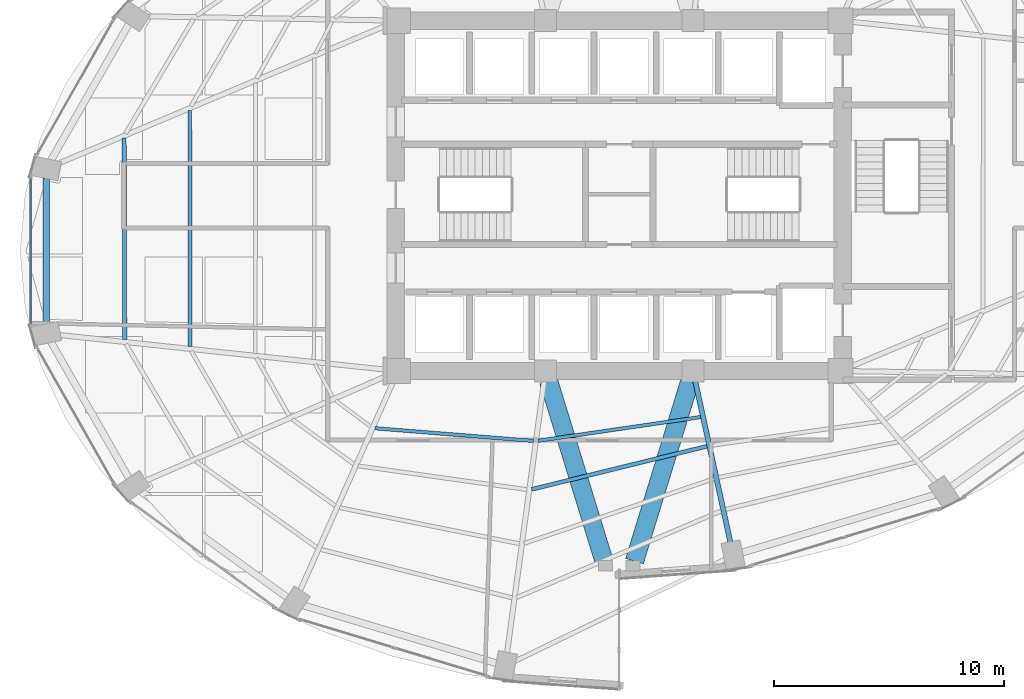
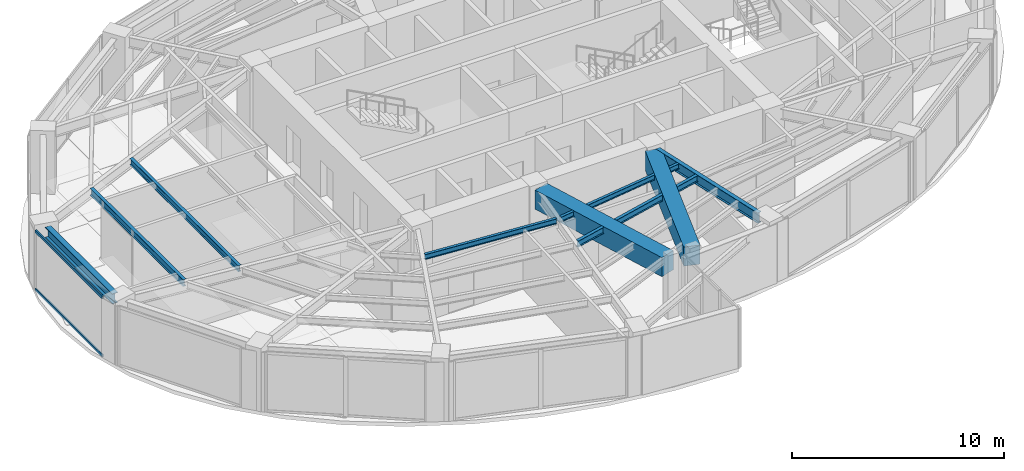
# One storey, part 7 of 24: 9 beams, 2 members, 1 element without a shape of its own.
"""IFC4 building model written with IfcOpenShell, lengths in metres."""

from ifc_helpers import new_model, si_unit, direction, frame, origin, origin_2d, place, context, subcontext, project, spatial, rectangle, hollow_rectangle, i_section, extrude, material, layer, layer_set, material_profile, profile_set, type_object, element, aggregate, save


model = new_model("IFC4")

# Units and contexts
model_context = context("Model", 3, precision=1e-05, world=origin(), true_north=direction((0.0, 1.0)))
body_context = subcontext(model_context, "Body", "Model", "MODEL_VIEW")
ifc_project = project(units=[si_unit("LENGTHUNIT", "METRE"), si_unit("AREAUNIT", "SQUARE_METRE"), si_unit("VOLUMEUNIT", "CUBIC_METRE"), si_unit("PLANEANGLEUNIT", "RADIAN"), si_unit("MASSUNIT", "GRAM", prefix="KILO")], contexts=[model_context])

# Site, building, storey
site_placement = place(None, origin())
site = spatial("IfcSite", under=ifc_project, at=site_placement, CompositionType="ELEMENT")
building_placement = place(site_placement, origin())
building = spatial("IfcBuilding", under=site, at=building_placement, Name="Lazwardi Medical Tower", CompositionType="ELEMENT")
storey_placement = place(building_placement, frame((0.0, 0.0, 103.632080078125)))
storey = spatial("IfcBuildingStorey", under=building, at=storey_placement, Name="L26", CompositionType="ELEMENT", Elevation=103.632080078125)

# Beams
ifc_material_1 = material(Name="Concrete C70/85", Category="concrete")
ifc_material_profile_1 = material_profile(ifc_material_1, rectangle(XDim=0.800048828125, YDim=1.10009765625, at=origin_2d()), Name="RC 800x1100")
ifc_profile_set_1 = profile_set([ifc_material_profile_1], Name="Concrete C70/85")
beam_type_1 = type_object("IfcBeamType", Name="BM-CB-RC1", PredefinedType="LINTEL", material=ifc_profile_set_1)
for number, where, z_axis, x_axis, name in (
    (1, (32.935302734375, 19.960205078125, 2.8779296875), (0.294073251002, -0.955782884888, 0.0), (0.955782884888, 0.294073251002, 0.0), "Core coupling lintel CB-01 PL3 L26"),
    (2, (39.064697265625, 19.960205078125, 2.8779296875), (-0.294073251002, -0.955782884888, 0.0), (0.955782884888, -0.294073251002, 0.0), "Core coupling lintel CB-01 PL4 L26"),
):
    element("IfcBeam", number, at=place(storey_placement, frame(where, z_axis=z_axis, x_axis=x_axis)), inside=storey, type_object=beam_type_1, Name=name, PredefinedType="LINTEL", context=body_context, shape_type="SweptSolid", body=[
        extrude(rectangle(XDim=0.800048828125, YDim=1.10009765625, at=origin_2d()), origin(), (0.0, 0.0, 1.0), 8.1708984375),
    ])
ifc_material_2 = material(Name="Steel S355", Category="steel")
ifc_material_profile_2 = material_profile(ifc_material_2, i_section(OverallWidth=0.300048828125, OverallDepth=0.60009765625, WebThickness=0.015380859375, FlangeThickness=0.030029296875, at=origin_2d()), Name="HEB 600")
ifc_profile_set_2 = profile_set([ifc_material_profile_2], Name="Steel S355")
beam_type_2 = type_object("IfcBeamType", Name="BM-RB-Z2", PredefinedType="BEAM", material=ifc_profile_set_2)
beam_1_placement = place(storey_placement, frame((11.13720703125, 28.77001953125, 3.1279296875), z_axis=(0.0, -1.0, 0.0), x_axis=(1.0, 0.0, 0.0)))
element("IfcBeam", 3, at=beam_1_placement, inside=storey, type_object=beam_type_2, Name="Ring beam RB-03 B12 L26", PredefinedType="BEAM", context=body_context, shape_type="SweptSolid", body=[
    extrude(i_section(OverallWidth=0.300048828125, OverallDepth=0.60009765625, WebThickness=0.015380859375, FlangeThickness=0.030029296875, at=origin_2d()), origin(), (0.0, 0.0, 1.0), 6.33984375),
])
ifc_material_profile_3 = material_profile(ifc_material_2, i_section(OverallWidth=0.219970703125, OverallDepth=0.60009765625, WebThickness=0.011962890625, FlangeThickness=0.01904296875, at=origin_2d()), Name="IPE 600")
ifc_profile_set_3 = profile_set([ifc_material_profile_3], Name="Steel S355")
beam_type_3 = type_object("IfcBeamType", Name="BM-RG-W1", PredefinedType="BEAM", material=ifc_profile_set_3)
beam_2_placement = place(storey_placement, frame((40.82177734375, 12.96923828125, 3.1279296875), z_axis=(-0.213228150441, 0.977002433907, 0.0), x_axis=(-0.977002433907, -0.213228150441, 0.0)))
element("IfcBeam", 4, at=beam_2_placement, inside=storey, type_object=beam_type_3, Name="Radial girder RG-02 R01 L26", PredefinedType="BEAM", context=body_context, shape_type="SweptSolid", body=[
    extrude(i_section(OverallWidth=0.219970703125, OverallDepth=0.60009765625, WebThickness=0.011962890625, FlangeThickness=0.01904296875, at=origin_2d()), origin(), (0.0, 0.0, 1.0), 7.145751953125),
])
ifc_material_profile_4 = material_profile(ifc_material_2, i_section(OverallWidth=0.179931640625, OverallDepth=0.39990234375, WebThickness=0.008544921875, FlangeThickness=0.013427734375, at=origin_2d()), Name="IPE 400")
ifc_profile_set_4 = profile_set([ifc_material_profile_4], Name="Steel S355")
beam_type_4 = type_object("IfcBeamType", Name="BM-SJ-01", PredefinedType="JOIST", material=ifc_profile_set_4)
beam_3_placement = place(storey_placement, frame((14.51904296875, 30.497314453125, 3.22802734375), z_axis=(0.002907126978, -0.999995774297, 0.0), x_axis=(0.999995774297, 0.002907126978, 0.0)))
element("IfcBeam", 5, at=beam_3_placement, inside=storey, type_object=beam_type_4, Name="Secondary joist SJ-01 R1 B12 L26", PredefinedType="JOIST", context=body_context, shape_type="SweptSolid", body=[
    extrude(i_section(OverallWidth=0.179931640625, OverallDepth=0.39990234375, WebThickness=0.008544921875, FlangeThickness=0.013427734375, at=origin_2d()), origin(), (0.0, 0.0, 1.0), 8.73388671875),
])
ifc_material_profile_5 = material_profile(ifc_material_2, i_section(OverallWidth=0.169921875, OverallDepth=0.360107421875, WebThickness=0.008056640625, FlangeThickness=0.0126953125, at=origin_2d()), Name="IPE 360")
ifc_profile_set_5 = profile_set([ifc_material_profile_5], Name="Steel S355")
beam_type_5 = type_object("IfcBeamType", Name="BM-SJ-02", PredefinedType="JOIST", material=ifc_profile_set_5)
beam_4_placement = place(storey_placement, frame((17.365966796875, 31.69482421875, 3.247802734375), z_axis=(0.000930565095, -0.999999567024, 0.0), x_axis=(0.999999567024, 0.000930565095, 0.0)))
element("IfcBeam", 6, at=beam_4_placement, inside=storey, type_object=beam_type_5, Name="Secondary joist SJ-02 R2 B12 L26", PredefinedType="JOIST", context=body_context, shape_type="SweptSolid", body=[
    extrude(i_section(OverallWidth=0.169921875, OverallDepth=0.360107421875, WebThickness=0.008056640625, FlangeThickness=0.0126953125, at=origin_2d()), origin(), (0.0, 0.0, 1.0), 10.23193359375),
])
beam_5_placement = place(storey_placement, frame((32.19775390625, 15.262451171875, 3.247802734375), z_axis=(0.97107737879, 0.238764998276, 0.0), x_axis=(-0.238764998276, 0.97107737879, 0.0)))
element("IfcBeam", 7, at=beam_5_placement, inside=storey, type_object=beam_type_5, Name="Secondary joist SJ-02 R3 B16 L26", PredefinedType="JOIST", context=body_context, shape_type="SweptSolid", body=[
    extrude(i_section(OverallWidth=0.169921875, OverallDepth=0.360107421875, WebThickness=0.008056640625, FlangeThickness=0.0126953125, at=origin_2d()), origin(), (0.0, 0.0, 1.0), 7.83447265625),
])
ifc_material_profile_6 = material_profile(ifc_material_2, i_section(OverallWidth=0.14990234375, OverallDepth=0.300048828125, WebThickness=0.007080078125, FlangeThickness=0.0107421875, at=origin_2d()), Name="IPE 300")
ifc_profile_set_6 = profile_set([ifc_material_profile_6], Name="Steel S355")
beam_type_6 = type_object("IfcBeamType", Name="BM-SJ-03", PredefinedType="JOIST", material=ifc_profile_set_6)
beam_6_placement = place(storey_placement, frame((25.400390625, 17.914306640625, 3.27783203125), z_axis=(0.996816178299, -0.079733974445, 0.0), x_axis=(0.079733974445, 0.996816178299, 0.0)))
element("IfcBeam", 8, at=beam_6_placement, inside=storey, type_object=beam_type_6, Name="Secondary joist SJ-03 R4 B15 L26", PredefinedType="JOIST", context=body_context, shape_type="SweptSolid", body=[
    extrude(i_section(OverallWidth=0.14990234375, OverallDepth=0.300048828125, WebThickness=0.007080078125, FlangeThickness=0.0107421875, at=origin_2d()), origin(), (0.0, 0.0, 1.0), 6.901611328125),
])
beam_7_placement = place(storey_placement, frame((32.488525390625, 17.37060546875, 3.27783203125), z_axis=(0.98949221477, 0.144586157392, 0.0), x_axis=(-0.144586157392, 0.98949221477, 0.0)))
element("IfcBeam", 9, at=beam_7_placement, inside=storey, type_object=beam_type_6, Name="Secondary joist SJ-03 R4 B16 L26", PredefinedType="JOIST", context=body_context, shape_type="SweptSolid", body=[
    extrude(i_section(OverallWidth=0.14990234375, OverallDepth=0.300048828125, WebThickness=0.007080078125, FlangeThickness=0.0107421875, at=origin_2d()), origin(), (0.0, 0.0, 1.0), 7.115478515625),
])

# Curtain wall, members
ifc_material_3 = material(Name="Anodised bronze aluminium and solar control glazing", Category="aluminium")
ifc_layer = layer(ifc_material_3, 0.195068359375)
ifc_layer_set = layer_set([ifc_layer], Name="Anodised bronze aluminium and solar control glazing")
curtain_wall_type = type_object("IfcCurtainWallType", Name="CW-SYS-03", PredefinedType="NOTDEFINED", material=ifc_layer_set)
curtain_wall_placement = place(storey_placement, origin())
curtain_wall = element("IfcCurtainWall", 10, at=curtain_wall_placement, inside=storey, type_object=curtain_wall_type, Name="L26 Unitised bronze curtain wall CW-03", PredefinedType="NOTDEFINED")
ifc_material_4 = material(Name="Anodised bronze aluminium", Category="aluminium")
ifc_material_profile_7 = material_profile(ifc_material_4, hollow_rectangle(XDim=0.074951171875, YDim=0.159912109375, WallThickness=0.00390625, at=origin_2d()), Name="ALU-TRANSOM 160x75x4")
ifc_profile_set_7 = profile_set([ifc_material_profile_7], Name="Anodised bronze aluminium")
member_type = type_object("IfcMemberType", Name="CW-TRN-01", PredefinedType="USERDEFINED", material=ifc_profile_set_7)
member_1_placement = place(storey_placement, frame((10.471923828125, 28.760009765625, 0.037353515625), z_axis=(0.0, -1.0, 0.0), x_axis=(1.0, 0.0, 0.0)))
member_1 = element("IfcMember", 11, at=member_1_placement, type_object=member_type, Name="CW-03 transom 1.1", ObjectType="TRANSOM", PredefinedType="USERDEFINED", context=body_context, shape_type="SweptSolid", body=[
    extrude(hollow_rectangle(XDim=0.074951171875, YDim=0.159912109375, WallThickness=0.00390625, at=origin_2d()), origin(), (0.0, 0.0, 1.0), 6.31982421875),
])
member_2_placement = place(storey_placement, frame((10.471923828125, 28.760009765625, 3.390380859375), z_axis=(0.0, -1.0, 0.0), x_axis=(1.0, 0.0, 0.0)))
member_2 = element("IfcMember", 12, at=member_2_placement, type_object=member_type, Name="CW-03 transom 1.2", ObjectType="TRANSOM", PredefinedType="USERDEFINED", context=body_context, shape_type="SweptSolid", body=[
    extrude(hollow_rectangle(XDim=0.074951171875, YDim=0.159912109375, WallThickness=0.00390625, at=origin_2d()), origin(), (0.0, 0.0, 1.0), 6.31982421875),
])
aggregate(curtain_wall, [member_1, member_2])

save(model, "model.ifc")
